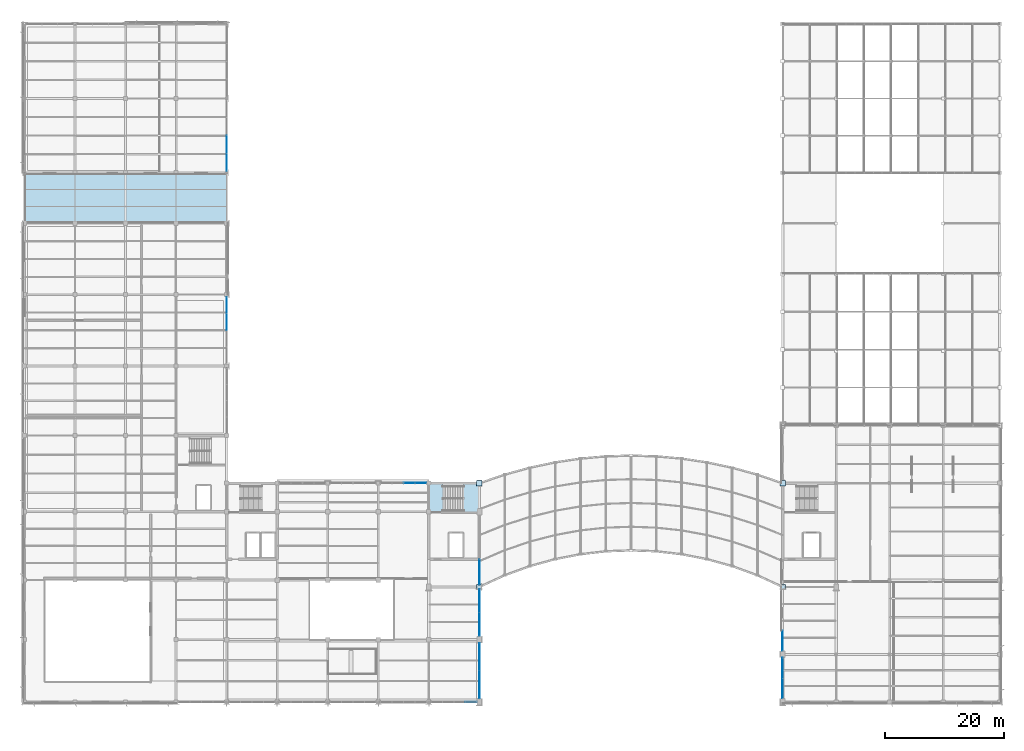
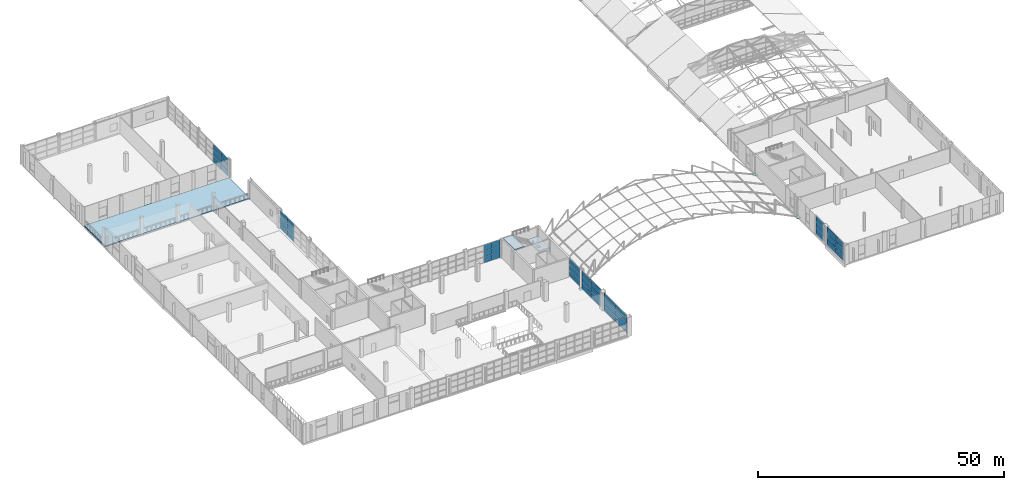
# One storey, part 78 of 101: 47 plates, 3 slabs, 10 elements without a shape of their own.
"""IFC4 building model written with IfcOpenShell, lengths in metres."""

from ifc_helpers import new_model, si_unit, direction, frame, origin, origin_2d, place, context, subcontext, project, spatial, polyline, rectangle, outline, extrude, material, layer, layer_set, type_object, element, aggregate, save


model = new_model("IFC4")

# Units and contexts
model_context = context("Model", 3, precision=1e-05, world=origin(), true_north=direction((0.0, 1.0)))
body_context = subcontext(model_context, "Body", "Model", "MODEL_VIEW")
ifc_project = project(units=[si_unit("LENGTHUNIT", "METRE"), si_unit("AREAUNIT", "SQUARE_METRE"), si_unit("VOLUMEUNIT", "CUBIC_METRE"), si_unit("PLANEANGLEUNIT", "RADIAN"), si_unit("MASSUNIT", "GRAM", prefix="KILO")], contexts=[model_context])

# Site, building, storey
site_placement = place(None, origin())
site = spatial("IfcSite", under=ifc_project, at=site_placement, CompositionType="ELEMENT")
building_placement = place(site_placement, origin())
building = spatial("IfcBuilding", under=site, at=building_placement, Name="Solvikara Media Centre", CompositionType="ELEMENT")
storey_placement = place(building_placement, frame((0.0, 0.0, 10.199951171875)))
storey = spatial("IfcBuildingStorey", under=building, at=storey_placement, Name="L02", CompositionType="ELEMENT", Elevation=10.199951171875)

# Plates
ifc_material_1 = material(Name="Steel S355JR", Category="steel")
ifc_layer_1 = layer(ifc_material_1, 0.035888671875)
ifc_layer_set_1 = layer_set([ifc_layer_1], Name="Steel S355JR")
plate_type_1 = type_object("IfcPlateType", Name="PL-05", PredefinedType="USERDEFINED", material=ifc_layer_set_1)
for number, where, z_axis, x_axis, name in (
    (1, (76.5, 19.323974609375, -0.36767578125), (0.0, 0.0, 1.0), (1.0, 0.0, 0.0), "BP-ARCH-SW"),
    (2, (127.5, 19.323974609375, -0.36767578125), (0.0, 0.0, 1.0), (1.0, 0.0, 0.0), "BP-ARCH-SE"),
    (3, (76.5, 36.800048828125, -0.36767578125), (0.0, 0.0, 1.0), (1.0, 0.0, 0.0), "BP-ARCH-NW"),
    (4, (127.5, 36.800048828125, -0.36767578125), (0.0, 0.0, 1.0), (1.0, 0.0, 0.0), "BP-ARCH-NE"),
):
    element("IfcPlate", number, at=place(storey_placement, frame(where, z_axis=z_axis, x_axis=x_axis)), inside=storey, type_object=plate_type_1, Name=name, ObjectType="BASE PLATE", PredefinedType="USERDEFINED", context=body_context, shape_type="SweptSolid", body=[
        extrude(rectangle(XDim=0.89990234375, YDim=0.89990234375, at=origin_2d()), origin(), (0.0, 0.0, 1.0), 0.035888671875),
    ])

# Curtain wall, plate
ifc_material_2 = material(Name="Anodised aluminium EN AW-6063", Category="aluminium")
curtain_wall_type_1 = type_object("IfcCurtainWallType", Name="CW-04", PredefinedType="NOTDEFINED", material=ifc_material_2)
curtain_wall_1_placement = place(storey_placement, origin())
curtain_wall_1 = element("IfcCurtainWall", 5, at=curtain_wall_1_placement, inside=storey, type_object=curtain_wall_type_1, Name="CW-L02-V6S-5", PredefinedType="NOTDEFINED")
ifc_material_3 = material(Name="Insulated silver-pearl glass spandrel panel", Category="glass")
ifc_layer_2 = layer(ifc_material_3, 0.054931640625)
ifc_layer_set_2 = layer_set([ifc_layer_2], Name="Insulated silver-pearl glass spandrel panel")
plate_type_2 = type_object("IfcPlateType", Name="PN-07", PredefinedType="CURTAIN_PANEL", material=ifc_layer_set_2)
plate_1_placement = place(storey_placement, frame((75.10107421875, 0.0, 3.008544921875), z_axis=(0.0, 0.0, 1.0), x_axis=(1.0, 0.0, 0.0)))
plate_1 = element("IfcPlate", 6, at=plate_1_placement, type_object=plate_type_2, Name="CW-L02-V6S-5-P0302", PredefinedType="CURTAIN_PANEL", context=body_context, shape_type="SweptSolid", body=[
    extrude(rectangle(XDim=1.887939453125, YDim=0.054931640625, at=origin_2d()), origin(), (0.0, 0.0, 1.0), 1.45703125),
])
aggregate(curtain_wall_1, [plate_1])

# Curtain wall, plates
curtain_wall_type_2 = type_object("IfcCurtainWallType", Name="CW-16", PredefinedType="NOTDEFINED", material=ifc_material_2)
curtain_wall_2_placement = place(storey_placement, origin())
curtain_wall_2 = element("IfcCurtainWall", 7, at=curtain_wall_2_placement, inside=storey, type_object=curtain_wall_type_2, Name="CW-L02-V6E-S1", PredefinedType="NOTDEFINED")
ifc_material_4 = material(Name="Ceramic-fritted teal low-E glass", Category="glass")
ifc_layer_3 = layer(ifc_material_4, 0.0380859375)
ifc_layer_set_3 = layer_set([ifc_layer_3], Name="Ceramic-fritted teal low-E glass")
plate_type_3 = type_object("IfcPlateType", Name="PN-08", PredefinedType="CURTAIN_PANEL", material=ifc_layer_set_3)
plate_2_placement = place(storey_placement, frame((76.5, 2.919921875, 0.034423828125), z_axis=(0.0, 0.0, 1.0), x_axis=(0.0, 1.0, 0.0)))
plate_2 = element("IfcPlate", 8, at=plate_2_placement, type_object=plate_type_3, Name="CW-L02-V6E-S1-P0000", PredefinedType="CURTAIN_PANEL", context=body_context, shape_type="SweptSolid", body=[
    extrude(rectangle(XDim=4.6298828125, YDim=0.0380859375, at=origin_2d()), origin(), (0.0, 0.0, 1.0), 1.45703125),
])
plate_3_placement = place(storey_placement, frame((76.5, 2.919921875, 3.008544921875), z_axis=(0.0, 0.0, 1.0), x_axis=(0.0, 1.0, 0.0)))
plate_3 = element("IfcPlate", 9, at=plate_3_placement, type_object=plate_type_3, Name="CW-L02-V6E-S1-P0002", PredefinedType="CURTAIN_PANEL", context=body_context, shape_type="SweptSolid", body=[
    extrude(rectangle(XDim=4.6298828125, YDim=0.0380859375, at=origin_2d()), origin(), (0.0, 0.0, 1.0), 1.45703125),
])
plate_4_placement = place(storey_placement, frame((76.5, 7.580078125, 1.521484375), z_axis=(0.0, 0.0, 1.0), x_axis=(0.0, 1.0, 0.0)))
plate_4 = element("IfcPlate", 10, at=plate_4_placement, type_object=plate_type_3, Name="CW-L02-V6E-S1-P0101", PredefinedType="CURTAIN_PANEL", context=body_context, shape_type="SweptSolid", body=[
    extrude(rectangle(XDim=4.6298828125, YDim=0.0380859375, at=origin_2d()), origin(), (0.0, 0.0, 1.0), 1.45703125),
])

curtain_wall_3_placement = place(storey_placement, origin())
curtain_wall_3 = element("IfcCurtainWall", 11, at=curtain_wall_3_placement, inside=storey, type_object=curtain_wall_type_2, Name="CW-L02-V6E-S2", PredefinedType="NOTDEFINED")
plate_5_placement = place(storey_placement, frame((76.5, 13.06201171875, 0.034423828125), z_axis=(0.0, 0.0, 1.0), x_axis=(0.0, 1.0, 0.0)))
plate_5 = element("IfcPlate", 12, at=plate_5_placement, type_object=plate_type_3, Name="CW-L02-V6E-S2-P0000", PredefinedType="CURTAIN_PANEL", context=body_context, shape_type="SweptSolid", body=[
    extrude(rectangle(XDim=3.9140625, YDim=0.0380859375, at=origin_2d()), origin(), (0.0, 0.0, 1.0), 1.45703125),
])
plate_6_placement = place(storey_placement, frame((76.5, 13.06201171875, 3.008544921875), z_axis=(0.0, 0.0, 1.0), x_axis=(0.0, 1.0, 0.0)))
plate_6 = element("IfcPlate", 13, at=plate_6_placement, type_object=plate_type_3, Name="CW-L02-V6E-S2-P0002", PredefinedType="CURTAIN_PANEL", context=body_context, shape_type="SweptSolid", body=[
    extrude(rectangle(XDim=3.9140625, YDim=0.0380859375, at=origin_2d()), origin(), (0.0, 0.0, 1.0), 1.45703125),
])
plate_7_placement = place(storey_placement, frame((76.5, 17.007080078125, 1.521484375), z_axis=(0.0, 0.0, 1.0), x_axis=(0.0, 1.0, 0.0)))
plate_7 = element("IfcPlate", 14, at=plate_7_placement, type_object=plate_type_3, Name="CW-L02-V6E-S2-P0101", PredefinedType="CURTAIN_PANEL", context=body_context, shape_type="SweptSolid", body=[
    extrude(rectangle(XDim=3.9140625, YDim=0.0380859375, at=origin_2d()), origin(), (0.0, 0.0, 1.0), 1.45703125),
])

curtain_wall_4_placement = place(storey_placement, origin())
curtain_wall_4 = element("IfcCurtainWall", 15, at=curtain_wall_4_placement, inside=storey, type_object=curtain_wall_type_2, Name="CW-L02-V6E-S3", PredefinedType="NOTDEFINED")
plate_8_placement = place(storey_placement, frame((76.5, 21.81689453125, 0.034423828125), z_axis=(0.0, 0.0, 1.0), x_axis=(0.0, 1.0, 0.0)))
plate_8 = element("IfcPlate", 16, at=plate_8_placement, type_object=plate_type_3, Name="CW-L02-V6E-S3-P0000", PredefinedType="CURTAIN_PANEL", context=body_context, shape_type="SweptSolid", body=[
    extrude(rectangle(XDim=4.26611328125, YDim=0.0380859375, at=origin_2d()), origin(), (0.0, 0.0, 1.0), 1.45703125),
])
plate_9_placement = place(storey_placement, frame((76.5, 21.81689453125, 3.008544921875), z_axis=(0.0, 0.0, 1.0), x_axis=(0.0, 1.0, 0.0)))
plate_9 = element("IfcPlate", 17, at=plate_9_placement, type_object=plate_type_3, Name="CW-L02-V6E-S3-P0002", PredefinedType="CURTAIN_PANEL", context=body_context, shape_type="SweptSolid", body=[
    extrude(rectangle(XDim=4.26611328125, YDim=0.0380859375, at=origin_2d()), origin(), (0.0, 0.0, 1.0), 1.45703125),
])

curtain_wall_type_3 = type_object("IfcCurtainWallType", Name="CW-05", PredefinedType="NOTDEFINED", material=ifc_material_2)
curtain_wall_5_placement = place(storey_placement, origin())
curtain_wall_5 = element("IfcCurtainWall", 18, at=curtain_wall_5_placement, inside=storey, type_object=curtain_wall_type_3, Name="CW-L02-V6N-3", PredefinedType="NOTDEFINED")
plate_10_placement = place(storey_placement, frame((64.715087890625, 36.800048828125, 0.034423828125), z_axis=(0.0, 0.0, 1.0), x_axis=(1.0, 0.0, 0.0)))
plate_10 = element("IfcPlate", 19, at=plate_10_placement, type_object=plate_type_3, Name="CW-L02-V6N-3-P0200", PredefinedType="CURTAIN_PANEL", context=body_context, shape_type="SweptSolid", body=[
    extrude(rectangle(XDim=1.89990234375, YDim=0.0380859375, at=origin_2d()), origin(), (0.0, 0.0, 1.0), 1.45703125),
])
plate_11_placement = place(storey_placement, frame((64.715087890625, 36.800048828125, 3.008544921875), z_axis=(0.0, 0.0, 1.0), x_axis=(1.0, 0.0, 0.0)))
plate_11 = element("IfcPlate", 20, at=plate_11_placement, type_object=plate_type_3, Name="CW-L02-V6N-3-P0202", PredefinedType="CURTAIN_PANEL", context=body_context, shape_type="SweptSolid", body=[
    extrude(rectangle(XDim=1.89990234375, YDim=0.0380859375, at=origin_2d()), origin(), (0.0, 0.0, 1.0), 1.45703125),
])
plate_12_placement = place(storey_placement, frame((66.64501953125, 36.800048828125, 1.521484375), z_axis=(0.0, 0.0, 1.0), x_axis=(1.0, 0.0, 0.0)))
plate_12 = element("IfcPlate", 21, at=plate_12_placement, type_object=plate_type_3, Name="CW-L02-V6N-3-P0301", PredefinedType="CURTAIN_PANEL", context=body_context, shape_type="SweptSolid", body=[
    extrude(rectangle(XDim=1.89990234375, YDim=0.0380859375, at=origin_2d()), origin(), (0.0, 0.0, 1.0), 1.45703125),
])

# Plate
ifc_layer_4 = layer(ifc_material_3, 0.054931640625)
ifc_layer_set_4 = layer_set([ifc_layer_4], Name="Insulated silver-pearl glass spandrel panel")
plate_type_4 = type_object("IfcPlateType", Name="PN-09", PredefinedType="CURTAIN_PANEL", material=ifc_layer_set_4)
plate_13_placement = place(storey_placement, frame((76.5, 2.919921875, 1.521484375), z_axis=(0.0, 0.0, 1.0), x_axis=(0.0, 1.0, 0.0)))
plate_13 = element("IfcPlate", 22, at=plate_13_placement, type_object=plate_type_4, Name="CW-L02-V6E-S1-P0001", PredefinedType="CURTAIN_PANEL", context=body_context, shape_type="SweptSolid", body=[
    extrude(rectangle(XDim=4.6298828125, YDim=0.054931640625, at=origin_2d()), origin(), (0.0, 0.0, 1.0), 1.45703125),
])

plate_14_placement = place(storey_placement, frame((76.5, 7.580078125, 0.034423828125), z_axis=(0.0, 0.0, 1.0), x_axis=(0.0, 1.0, 0.0)))
plate_14 = element("IfcPlate", 23, at=plate_14_placement, type_object=plate_type_4, Name="CW-L02-V6E-S1-P0100", PredefinedType="CURTAIN_PANEL", context=body_context, shape_type="SweptSolid", body=[
    extrude(rectangle(XDim=4.6298828125, YDim=0.054931640625, at=origin_2d()), origin(), (0.0, 0.0, 1.0), 1.45703125),
])

plate_15_placement = place(storey_placement, frame((76.5, 7.580078125, 3.008544921875), z_axis=(0.0, 0.0, 1.0), x_axis=(0.0, 1.0, 0.0)))
plate_15 = element("IfcPlate", 24, at=plate_15_placement, type_object=plate_type_4, Name="CW-L02-V6E-S1-P0102", PredefinedType="CURTAIN_PANEL", context=body_context, shape_type="SweptSolid", body=[
    extrude(rectangle(XDim=4.6298828125, YDim=0.054931640625, at=origin_2d()), origin(), (0.0, 0.0, 1.0), 1.45703125),
])

aggregate(curtain_wall_2, [plate_2, plate_13, plate_3, plate_14, plate_4, plate_15])

plate_16_placement = place(storey_placement, frame((76.5, 13.06201171875, 1.521484375), z_axis=(0.0, 0.0, 1.0), x_axis=(0.0, 1.0, 0.0)))
plate_16 = element("IfcPlate", 25, at=plate_16_placement, type_object=plate_type_4, Name="CW-L02-V6E-S2-P0001", PredefinedType="CURTAIN_PANEL", context=body_context, shape_type="SweptSolid", body=[
    extrude(rectangle(XDim=3.9140625, YDim=0.054931640625, at=origin_2d()), origin(), (0.0, 0.0, 1.0), 1.45703125),
])

plate_17_placement = place(storey_placement, frame((76.5, 17.007080078125, 0.034423828125), z_axis=(0.0, 0.0, 1.0), x_axis=(0.0, 1.0, 0.0)))
plate_17 = element("IfcPlate", 26, at=plate_17_placement, type_object=plate_type_4, Name="CW-L02-V6E-S2-P0100", PredefinedType="CURTAIN_PANEL", context=body_context, shape_type="SweptSolid", body=[
    extrude(rectangle(XDim=3.9140625, YDim=0.054931640625, at=origin_2d()), origin(), (0.0, 0.0, 1.0), 1.45703125),
])

plate_18_placement = place(storey_placement, frame((76.5, 17.007080078125, 3.008544921875), z_axis=(0.0, 0.0, 1.0), x_axis=(0.0, 1.0, 0.0)))
plate_18 = element("IfcPlate", 27, at=plate_18_placement, type_object=plate_type_4, Name="CW-L02-V6E-S2-P0102", PredefinedType="CURTAIN_PANEL", context=body_context, shape_type="SweptSolid", body=[
    extrude(rectangle(XDim=3.9140625, YDim=0.054931640625, at=origin_2d()), origin(), (0.0, 0.0, 1.0), 1.45703125),
])

aggregate(curtain_wall_3, [plate_5, plate_16, plate_6, plate_17, plate_7, plate_18])

plate_19_placement = place(storey_placement, frame((76.5, 21.81689453125, 1.521484375), z_axis=(0.0, 0.0, 1.0), x_axis=(0.0, 1.0, 0.0)))
plate_19 = element("IfcPlate", 28, at=plate_19_placement, type_object=plate_type_4, Name="CW-L02-V6E-S3-P0001", PredefinedType="CURTAIN_PANEL", context=body_context, shape_type="SweptSolid", body=[
    extrude(rectangle(XDim=4.26611328125, YDim=0.054931640625, at=origin_2d()), origin(), (0.0, 0.0, 1.0), 1.45703125),
])

aggregate(curtain_wall_4, [plate_8, plate_19, plate_9])

plate_20_placement = place(storey_placement, frame((64.715087890625, 36.800048828125, 1.521484375), z_axis=(0.0, 0.0, 1.0), x_axis=(1.0, 0.0, 0.0)))
plate_20 = element("IfcPlate", 29, at=plate_20_placement, type_object=plate_type_4, Name="CW-L02-V6N-3-P0201", PredefinedType="CURTAIN_PANEL", context=body_context, shape_type="SweptSolid", body=[
    extrude(rectangle(XDim=1.89990234375, YDim=0.054931640625, at=origin_2d()), origin(), (0.0, 0.0, 1.0), 1.45703125),
])

plate_21_placement = place(storey_placement, frame((66.64501953125, 36.800048828125, 0.034423828125), z_axis=(0.0, 0.0, 1.0), x_axis=(1.0, 0.0, 0.0)))
plate_21 = element("IfcPlate", 30, at=plate_21_placement, type_object=plate_type_4, Name="CW-L02-V6N-3-P0300", PredefinedType="CURTAIN_PANEL", context=body_context, shape_type="SweptSolid", body=[
    extrude(rectangle(XDim=1.89990234375, YDim=0.054931640625, at=origin_2d()), origin(), (0.0, 0.0, 1.0), 1.45703125),
])

plate_22_placement = place(storey_placement, frame((66.64501953125, 36.800048828125, 3.008544921875), z_axis=(0.0, 0.0, 1.0), x_axis=(1.0, 0.0, 0.0)))
plate_22 = element("IfcPlate", 31, at=plate_22_placement, type_object=plate_type_4, Name="CW-L02-V6N-3-P0302", PredefinedType="CURTAIN_PANEL", context=body_context, shape_type="SweptSolid", body=[
    extrude(rectangle(XDim=1.89990234375, YDim=0.054931640625, at=origin_2d()), origin(), (0.0, 0.0, 1.0), 1.45703125),
])

aggregate(curtain_wall_5, [plate_10, plate_20, plate_11, plate_21, plate_12, plate_22])

# Curtain wall, plates
curtain_wall_type_4 = type_object("IfcCurtainWallType", Name="CW-12", PredefinedType="NOTDEFINED", material=ifc_material_2)
curtain_wall_6_placement = place(storey_placement, origin())
curtain_wall_6 = element("IfcCurtainWall", 32, at=curtain_wall_6_placement, inside=storey, type_object=curtain_wall_type_4, Name="CW-L02-V5WS-S1", PredefinedType="NOTDEFINED")
plate_23_placement = place(storey_placement, frame((127.5, 2.294921875, 1.521484375), z_axis=(0.0, 0.0, 1.0), x_axis=(0.0, 1.0, 0.0)))
plate_23 = element("IfcPlate", 33, at=plate_23_placement, type_object=plate_type_4, Name="CW-L02-V5WS-S1-P0001", PredefinedType="CURTAIN_PANEL", context=body_context, shape_type="SweptSolid", body=[
    extrude(rectangle(XDim=3.3798828125, YDim=0.054931640625, at=origin_2d()), origin(), (0.0, 0.0, 1.0), 1.45703125),
])
plate_24_placement = place(storey_placement, frame((127.5, 5.705078125, 0.034423828125), z_axis=(0.0, 0.0, 1.0), x_axis=(0.0, 1.0, 0.0)))
plate_24 = element("IfcPlate", 34, at=plate_24_placement, type_object=plate_type_4, Name="CW-L02-V5WS-S1-P0100", PredefinedType="CURTAIN_PANEL", context=body_context, shape_type="SweptSolid", body=[
    extrude(rectangle(XDim=3.3798828125, YDim=0.054931640625, at=origin_2d()), origin(), (0.0, 0.0, 1.0), 1.45703125),
])
plate_25_placement = place(storey_placement, frame((127.5, 5.705078125, 3.008544921875), z_axis=(0.0, 0.0, 1.0), x_axis=(0.0, 1.0, 0.0)))
plate_25 = element("IfcPlate", 35, at=plate_25_placement, type_object=plate_type_4, Name="CW-L02-V5WS-S1-P0102", PredefinedType="CURTAIN_PANEL", context=body_context, shape_type="SweptSolid", body=[
    extrude(rectangle(XDim=3.3798828125, YDim=0.054931640625, at=origin_2d()), origin(), (0.0, 0.0, 1.0), 1.45703125),
])

# Curtain wall, plate
curtain_wall_7_placement = place(storey_placement, origin())
curtain_wall_7 = element("IfcCurtainWall", 36, at=curtain_wall_7_placement, inside=storey, type_object=curtain_wall_type_4, Name="CW-L02-V5WS-S2", PredefinedType="NOTDEFINED")
plate_26_placement = place(storey_placement, frame((127.5, 10.278076171875, 1.521484375), z_axis=(0.0, 0.0, 1.0), x_axis=(0.0, 1.0, 0.0)))
plate_26 = element("IfcPlate", 37, at=plate_26_placement, type_object=plate_type_4, Name="CW-L02-V5WS-S2-P0001", PredefinedType="CURTAIN_PANEL", context=body_context, shape_type="SweptSolid", body=[
    extrude(rectangle(XDim=3.344970703125, YDim=0.054931640625, at=origin_2d()), origin(), (0.0, 0.0, 1.0), 1.45703125),
])

# Curtain wall, plates
curtain_wall_type_5 = type_object("IfcCurtainWallType", Name="CW-07", PredefinedType="NOTDEFINED", material=ifc_material_2)
curtain_wall_8_placement = place(storey_placement, origin())
curtain_wall_8 = element("IfcCurtainWall", 38, at=curtain_wall_8_placement, inside=storey, type_object=curtain_wall_type_5, Name="CW-L02-V4E-S2", PredefinedType="NOTDEFINED")
ifc_material_5 = material(Name="Double-glazed low-E architectural glass", Category="glass")
ifc_layer_5 = layer(ifc_material_5, 0.035888671875)
ifc_layer_set_5 = layer_set([ifc_layer_5], Name="Double-glazed low-E architectural glass")
plate_type_5 = type_object("IfcPlateType", Name="PN-10", PredefinedType="CURTAIN_PANEL", material=ifc_layer_set_5)
plate_27_placement = place(storey_placement, frame((34.0, 63.902099609375, 0.034423828125), z_axis=(0.0, 0.0, 1.0), x_axis=(0.0, 1.0, 0.0)))
plate_27 = element("IfcPlate", 39, at=plate_27_placement, type_object=plate_type_5, Name="CW-L02-V4E-S2-P0200", PredefinedType="CURTAIN_PANEL", context=body_context, shape_type="SweptSolid", body=[
    extrude(rectangle(XDim=2.77490234375, YDim=0.035888671875, at=origin_2d()), origin(), (0.0, 0.0, 1.0), 1.45703125),
])
plate_28_placement = place(storey_placement, frame((34.0, 63.902099609375, 3.008544921875), z_axis=(0.0, 0.0, 1.0), x_axis=(0.0, 1.0, 0.0)))
plate_28 = element("IfcPlate", 40, at=plate_28_placement, type_object=plate_type_5, Name="CW-L02-V4E-S2-P0202", PredefinedType="CURTAIN_PANEL", context=body_context, shape_type="SweptSolid", body=[
    extrude(rectangle(XDim=2.77490234375, YDim=0.035888671875, at=origin_2d()), origin(), (0.0, 0.0, 1.0), 1.45703125),
])
plate_29_placement = place(storey_placement, frame((34.0, 66.70703125, 1.521484375), z_axis=(0.0, 0.0, 1.0), x_axis=(0.0, 1.0, 0.0)))
plate_29 = element("IfcPlate", 41, at=plate_29_placement, type_object=plate_type_5, Name="CW-L02-V4E-S2-P0301", PredefinedType="CURTAIN_PANEL", context=body_context, shape_type="SweptSolid", body=[
    extrude(rectangle(XDim=2.77490234375, YDim=0.035888671875, at=origin_2d()), origin(), (0.0, 0.0, 1.0), 1.45703125),
])
ifc_layer_6 = layer(ifc_material_3, 0.054931640625)
ifc_layer_set_6 = layer_set([ifc_layer_6], Name="Insulated silver-pearl glass spandrel panel")
plate_type_6 = type_object("IfcPlateType", Name="PN-11", PredefinedType="CURTAIN_PANEL", material=ifc_layer_set_6)
plate_30_placement = place(storey_placement, frame((34.0, 63.902099609375, 1.521484375), z_axis=(0.0, 0.0, 1.0), x_axis=(0.0, 1.0, 0.0)))
plate_30 = element("IfcPlate", 42, at=plate_30_placement, type_object=plate_type_6, Name="CW-L02-V4E-S2-P0201", PredefinedType="CURTAIN_PANEL", context=body_context, shape_type="SweptSolid", body=[
    extrude(rectangle(XDim=2.77490234375, YDim=0.054931640625, at=origin_2d()), origin(), (0.0, 0.0, 1.0), 1.45703125),
])
plate_31_placement = place(storey_placement, frame((34.0, 66.70703125, 0.034423828125), z_axis=(0.0, 0.0, 1.0), x_axis=(0.0, 1.0, 0.0)))
plate_31 = element("IfcPlate", 43, at=plate_31_placement, type_object=plate_type_6, Name="CW-L02-V4E-S2-P0300", PredefinedType="CURTAIN_PANEL", context=body_context, shape_type="SweptSolid", body=[
    extrude(rectangle(XDim=2.77490234375, YDim=0.054931640625, at=origin_2d()), origin(), (0.0, 0.0, 1.0), 1.45703125),
])
plate_32_placement = place(storey_placement, frame((34.0, 66.70703125, 3.008544921875), z_axis=(0.0, 0.0, 1.0), x_axis=(0.0, 1.0, 0.0)))
plate_32 = element("IfcPlate", 44, at=plate_32_placement, type_object=plate_type_6, Name="CW-L02-V4E-S2-P0302", PredefinedType="CURTAIN_PANEL", context=body_context, shape_type="SweptSolid", body=[
    extrude(rectangle(XDim=2.77490234375, YDim=0.054931640625, at=origin_2d()), origin(), (0.0, 0.0, 1.0), 1.45703125),
])
aggregate(curtain_wall_8, [plate_27, plate_30, plate_28, plate_31, plate_29, plate_32])

curtain_wall_type_6 = type_object("IfcCurtainWallType", Name="CW-08", PredefinedType="NOTDEFINED", material=ifc_material_2)
curtain_wall_9_placement = place(storey_placement, origin())
curtain_wall_9 = element("IfcCurtainWall", 45, at=curtain_wall_9_placement, inside=storey, type_object=curtain_wall_type_6, Name="CW-L02-V3E-S1", PredefinedType="NOTDEFINED")
plate_33_placement = place(storey_placement, frame((34.0, 90.763916015625, 1.521484375), z_axis=(0.0, 0.0, 1.0), x_axis=(0.0, 1.0, 0.0)))
plate_33 = element("IfcPlate", 46, at=plate_33_placement, type_object=plate_type_6, Name="CW-L02-V3E-S1-P0001", PredefinedType="CURTAIN_PANEL", context=body_context, shape_type="SweptSolid", body=[
    extrude(rectangle(XDim=2.9599609375, YDim=0.054931640625, at=origin_2d()), origin(), (0.0, 0.0, 1.0), 1.45703125),
])
plate_34_placement = place(storey_placement, frame((34.0, 93.7548828125, 0.034423828125), z_axis=(0.0, 0.0, 1.0), x_axis=(0.0, 1.0, 0.0)))
plate_34 = element("IfcPlate", 47, at=plate_34_placement, type_object=plate_type_6, Name="CW-L02-V3E-S1-P0100", PredefinedType="CURTAIN_PANEL", context=body_context, shape_type="SweptSolid", body=[
    extrude(rectangle(XDim=2.9599609375, YDim=0.054931640625, at=origin_2d()), origin(), (0.0, 0.0, 1.0), 1.45703125),
])
plate_35_placement = place(storey_placement, frame((34.0, 93.7548828125, 3.008544921875), z_axis=(0.0, 0.0, 1.0), x_axis=(0.0, 1.0, 0.0)))
plate_35 = element("IfcPlate", 48, at=plate_35_placement, type_object=plate_type_6, Name="CW-L02-V3E-S1-P0102", PredefinedType="CURTAIN_PANEL", context=body_context, shape_type="SweptSolid", body=[
    extrude(rectangle(XDim=2.9599609375, YDim=0.054931640625, at=origin_2d()), origin(), (0.0, 0.0, 1.0), 1.45703125),
])

# Plate
ifc_layer_7 = layer(ifc_material_4, 0.0380859375)
ifc_layer_set_7 = layer_set([ifc_layer_7], Name="Ceramic-fritted teal low-E glass")
plate_type_7 = type_object("IfcPlateType", Name="PN-12", PredefinedType="CURTAIN_PANEL", material=ifc_layer_set_7)
plate_36_placement = place(storey_placement, frame((127.5, 2.294921875, 0.034423828125), z_axis=(0.0, 0.0, 1.0), x_axis=(0.0, 1.0, 0.0)))
plate_36 = element("IfcPlate", 49, at=plate_36_placement, type_object=plate_type_7, Name="CW-L02-V5WS-S1-P0000", PredefinedType="CURTAIN_PANEL", context=body_context, shape_type="SweptSolid", body=[
    extrude(rectangle(XDim=3.3798828125, YDim=0.0380859375, at=origin_2d()), origin(), (0.0, 0.0, 1.0), 1.45703125),
])

plate_37_placement = place(storey_placement, frame((127.5, 2.294921875, 3.008544921875), z_axis=(0.0, 0.0, 1.0), x_axis=(0.0, 1.0, 0.0)))
plate_37 = element("IfcPlate", 50, at=plate_37_placement, type_object=plate_type_7, Name="CW-L02-V5WS-S1-P0002", PredefinedType="CURTAIN_PANEL", context=body_context, shape_type="SweptSolid", body=[
    extrude(rectangle(XDim=3.3798828125, YDim=0.0380859375, at=origin_2d()), origin(), (0.0, 0.0, 1.0), 1.45703125),
])

plate_38_placement = place(storey_placement, frame((127.5, 5.705078125, 1.521484375), z_axis=(0.0, 0.0, 1.0), x_axis=(0.0, 1.0, 0.0)))
plate_38 = element("IfcPlate", 51, at=plate_38_placement, type_object=plate_type_7, Name="CW-L02-V5WS-S1-P0101", PredefinedType="CURTAIN_PANEL", context=body_context, shape_type="SweptSolid", body=[
    extrude(rectangle(XDim=3.3798828125, YDim=0.0380859375, at=origin_2d()), origin(), (0.0, 0.0, 1.0), 1.45703125),
])

aggregate(curtain_wall_6, [plate_36, plate_23, plate_37, plate_24, plate_38, plate_25])

plate_39_placement = place(storey_placement, frame((127.5, 10.278076171875, 0.034423828125), z_axis=(0.0, 0.0, 1.0), x_axis=(0.0, 1.0, 0.0)))
plate_39 = element("IfcPlate", 52, at=plate_39_placement, type_object=plate_type_7, Name="CW-L02-V5WS-S2-P0000", PredefinedType="CURTAIN_PANEL", context=body_context, shape_type="SweptSolid", body=[
    extrude(rectangle(XDim=3.344970703125, YDim=0.0380859375, at=origin_2d()), origin(), (0.0, 0.0, 1.0), 1.45703125),
])

plate_40_placement = place(storey_placement, frame((127.5, 10.278076171875, 3.008544921875), z_axis=(0.0, 0.0, 1.0), x_axis=(0.0, 1.0, 0.0)))
plate_40 = element("IfcPlate", 53, at=plate_40_placement, type_object=plate_type_7, Name="CW-L02-V5WS-S2-P0002", PredefinedType="CURTAIN_PANEL", context=body_context, shape_type="SweptSolid", body=[
    extrude(rectangle(XDim=3.344970703125, YDim=0.0380859375, at=origin_2d()), origin(), (0.0, 0.0, 1.0), 1.45703125),
])

aggregate(curtain_wall_7, [plate_39, plate_26, plate_40])

ifc_material_6 = material(Name="Laminated solar-control cyan vision glass", Category="glass")
ifc_layer_8 = layer(ifc_material_6, 0.035888671875)
ifc_layer_set_8 = layer_set([ifc_layer_8], Name="Laminated solar-control cyan vision glass")
plate_type_8 = type_object("IfcPlateType", Name="PN-13", PredefinedType="CURTAIN_PANEL", material=ifc_layer_set_8)
plate_41_placement = place(storey_placement, frame((34.0, 90.763916015625, 0.034423828125), z_axis=(0.0, 0.0, 1.0), x_axis=(0.0, 1.0, 0.0)))
plate_41 = element("IfcPlate", 54, at=plate_41_placement, type_object=plate_type_8, Name="CW-L02-V3E-S1-P0000", PredefinedType="CURTAIN_PANEL", context=body_context, shape_type="SweptSolid", body=[
    extrude(rectangle(XDim=2.9599609375, YDim=0.035888671875, at=origin_2d()), origin(), (0.0, 0.0, 1.0), 1.45703125),
])

plate_42_placement = place(storey_placement, frame((34.0, 90.763916015625, 3.008544921875), z_axis=(0.0, 0.0, 1.0), x_axis=(0.0, 1.0, 0.0)))
plate_42 = element("IfcPlate", 55, at=plate_42_placement, type_object=plate_type_8, Name="CW-L02-V3E-S1-P0002", PredefinedType="CURTAIN_PANEL", context=body_context, shape_type="SweptSolid", body=[
    extrude(rectangle(XDim=2.9599609375, YDim=0.035888671875, at=origin_2d()), origin(), (0.0, 0.0, 1.0), 1.45703125),
])

plate_43_placement = place(storey_placement, frame((34.0, 93.7548828125, 1.521484375), z_axis=(0.0, 0.0, 1.0), x_axis=(0.0, 1.0, 0.0)))
plate_43 = element("IfcPlate", 56, at=plate_43_placement, type_object=plate_type_8, Name="CW-L02-V3E-S1-P0101", PredefinedType="CURTAIN_PANEL", context=body_context, shape_type="SweptSolid", body=[
    extrude(rectangle(XDim=2.9599609375, YDim=0.035888671875, at=origin_2d()), origin(), (0.0, 0.0, 1.0), 1.45703125),
])

aggregate(curtain_wall_9, [plate_41, plate_33, plate_42, plate_34, plate_43, plate_35])

# Slab
ifc_material_7 = material(Name="Concrete fc' 35 MPa (C35/45)", Category="concrete")
ifc_layer_9 = layer(ifc_material_7, 0.27001953125)
ifc_layer_set_9 = layer_set([ifc_layer_9], Name="Concrete fc' 35 MPa (C35/45)")
slab_type_1 = type_object("IfcSlabType", Name="ST-11", PredefinedType="FLOOR", material=ifc_layer_set_9)
slab_1_placement = place(storey_placement, frame((0.0, 0.0, -0.27001953125)))
element("IfcSlab", 57, at=slab_1_placement, inside=storey, type_object=slab_type_1, Name="TER-L02-V3", PredefinedType="FLOOR", context=body_context, shape_type="SweptSolid", body=[
    extrude(outline(polyline([(0.0, 80.5), (34.0, 80.5), (34.0, 89.0), (0.0, 89.0), (0.0, 80.5)])), origin(), (0.0, 0.0, 1.0), 0.27001953125),
])

# Stair, slabs
stair_type = type_object("IfcStairType", Name="SR-03", PredefinedType="HALF_TURN_STAIR", material=ifc_material_7)
stair_placement = place(storey_placement, origin())
stair = element("IfcStair", 58, at=stair_placement, inside=storey, type_object=stair_type, Name="ST-C3-L02", PredefinedType="HALF_TURN_STAIR")
ifc_layer_10 = layer(ifc_material_7, 0.330078125)
ifc_layer_set_10 = layer_set([ifc_layer_10], Name="Concrete fc' 35 MPa (C35/45)")
slab_type_2 = type_object("IfcSlabType", Name="ST-15", PredefinedType="LANDING", material=ifc_layer_set_10)
slab_2_placement = place(storey_placement, frame((0.0, 0.0, 2.070068359375)))
slab_2 = element("IfcSlab", 59, at=slab_2_placement, type_object=slab_type_2, Name="ST-C3-L02-LND", PredefinedType="LANDING", context=body_context, shape_type="SweptSolid", body=[
    extrude(outline(polyline([(73.800048828125, 31.85009765625), (76.3798828125, 31.85009765625), (76.3798828125, 36.6201171875), (73.800048828125, 36.6201171875), (73.800048828125, 31.85009765625)])), origin(), (0.0, 0.0, 1.0), 0.330078125),
])
slab_3_placement = place(storey_placement, frame((0.0, 0.0, 4.469970703125)))
slab_3 = element("IfcSlab", 60, at=slab_3_placement, type_object=slab_type_2, Name="ST-C3-L02-ARR", PredefinedType="LANDING", context=body_context, shape_type="SweptSolid", body=[
    extrude(outline(polyline([(68.1201171875, 31.85009765625), (70.39990234375, 31.85009765625), (70.39990234375, 36.6201171875), (68.1201171875, 36.6201171875), (68.1201171875, 31.85009765625)])), origin(), (0.0, 0.0, 1.0), 0.330078125),
])
aggregate(stair, [slab_2, slab_3])

save(model, "model.ifc")
